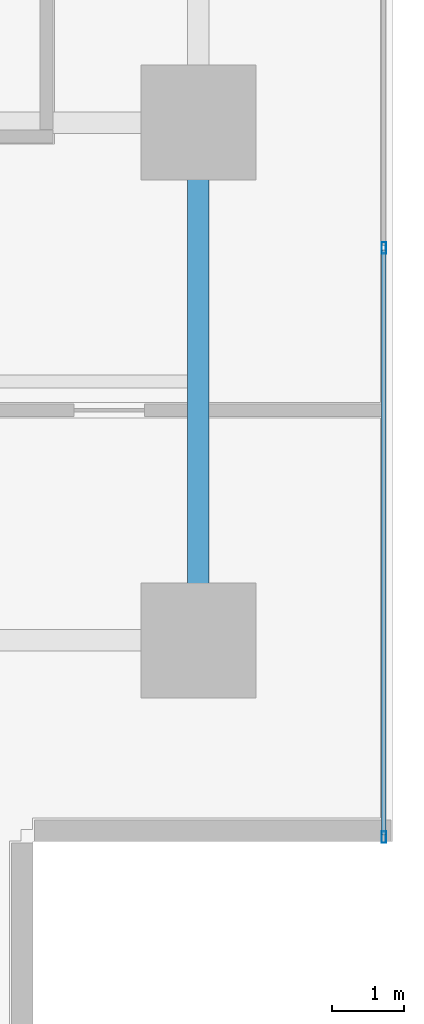
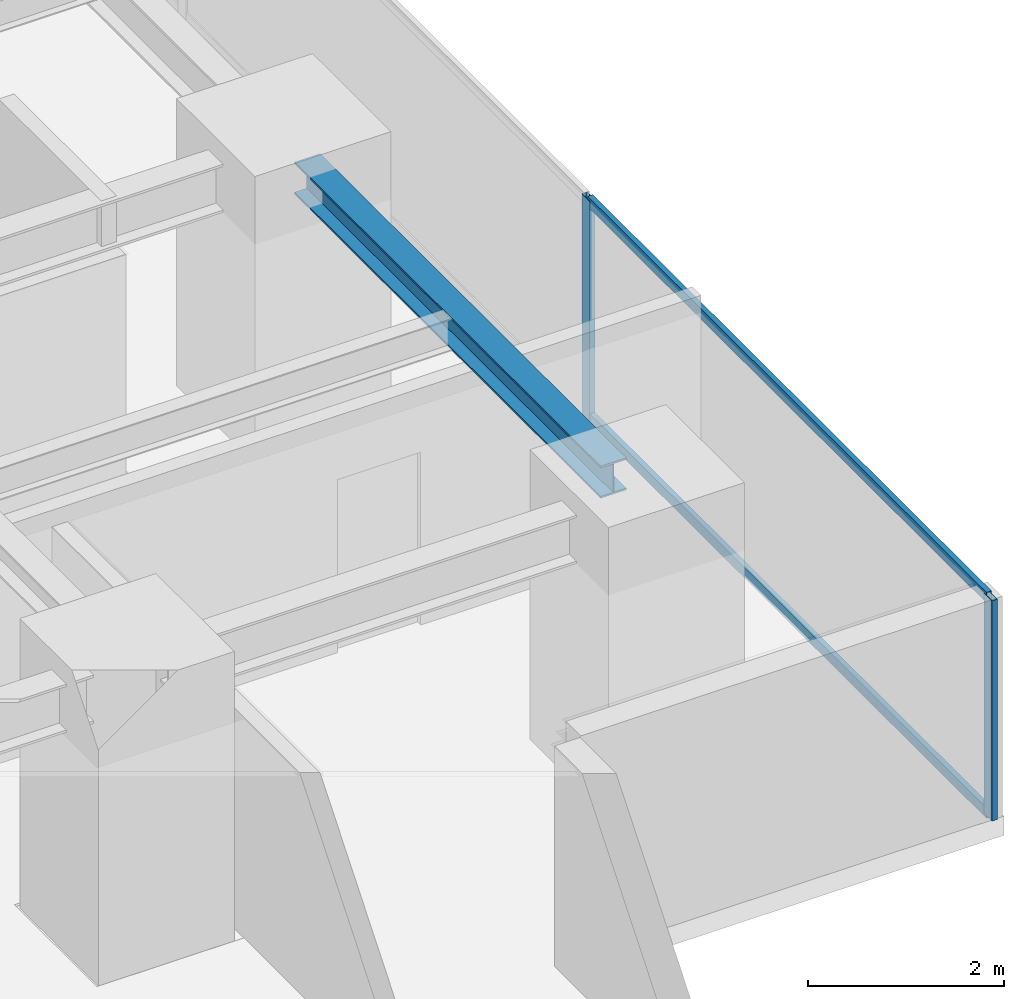
# One storey, part 14 of 37: 4 members, 1 beam, 1 element without a shape of its own.
"""IFC4 building model written with IfcOpenShell, lengths in metres."""

from ifc_helpers import new_model, si_unit, direction, frame, origin, origin_2d, place, context, subcontext, project, spatial, hollow_rectangle, i_section, extrude, source, transform, mapped, material, layer, layer_set, material_profile, profile_set, type_object, element, aggregate, save


model = new_model("IFC4")

# Units and contexts
model_context = context("Model", 3, precision=1e-05, world=origin(), true_north=direction((0.0, 1.0)))
body_context = subcontext(model_context, "Body", "Model", "MODEL_VIEW")
ifc_project = project(units=[si_unit("LENGTHUNIT", "METRE"), si_unit("AREAUNIT", "SQUARE_METRE"), si_unit("VOLUMEUNIT", "CUBIC_METRE"), si_unit("PLANEANGLEUNIT", "RADIAN"), si_unit("MASSUNIT", "GRAM", prefix="KILO")], contexts=[model_context])

# Site, building, storey
site_placement = place(None, origin())
site = spatial("IfcSite", under=ifc_project, at=site_placement, CompositionType="ELEMENT")
building_placement = place(site_placement, origin())
building = spatial("IfcBuilding", under=site, at=building_placement, Name="Sumidabori Civic Tower", CompositionType="ELEMENT")
storey_placement = place(building_placement, frame((0.0, 0.0, 117.199951171875)))
storey = spatial("IfcBuildingStorey", under=building, at=storey_placement, Name="L30", CompositionType="ELEMENT", Elevation=117.199951171875)

# Beam
ifc_material_1 = material(Name="Steel SN490", Category="steel")
ifc_material_profile_1 = material_profile(ifc_material_1, i_section(OverallWidth=0.300048828125, OverallDepth=0.39990234375, WebThickness=0.013427734375, FlangeThickness=0.02392578125, at=origin_2d()), Name="HE 400 B")
ifc_profile_set_1 = profile_set([ifc_material_profile_1], Name="Steel SN490")
beam_type = type_object("IfcBeamType", Name="BM-GIRD-400", PredefinedType="BEAM", material=ifc_profile_set_1)
shared_shape_1 = source(origin(), body_context, "Body", "SweptSolid", [
    extrude(i_section(OverallWidth=0.300048828125, OverallDepth=0.39990234375, WebThickness=0.013427734375, FlangeThickness=0.02392578125, at=origin_2d()), origin(), (0.0, 0.0, 1.0), 6.239990234375),
])
beam_placement = place(storey_placement, frame((22.800048828125, -17.52001953125, 3.16015625), z_axis=(0.0, 1.0, 0.0), x_axis=(-1.0, 0.0, 0.0)))
element("IfcBeam", 1, at=beam_placement, inside=storey, type_object=beam_type, Name="Primary Girder L30 GY-39", PredefinedType="BEAM", context=body_context, shape_type="MappedRepresentation", body=[
    mapped(shared_shape_1, transform((0.0, 0.0, 0.0), x_axis=(1.0, 0.0, 0.0), y_axis=(0.0, 1.0, 0.0), z_axis=(0.0, 0.0, 1.0), scale=1.0)),
])

# Curtain wall, members
ifc_material_2 = material(Name="Anodised Bronze Aluminium AW-6063-T6", Category="aluminium")
ifc_layer = layer(ifc_material_2, 0.179931640625, Name="Anodised Bronze Aluminium AW-6063-T6")
ifc_layer_set = layer_set([ifc_layer], Name="Anodised Bronze Aluminium AW-6063-T6")
curtain_wall_type = type_object("IfcCurtainWallType", Name="CW-SYS-3", PredefinedType="NOTDEFINED", material=ifc_layer_set)
curtain_wall_placement = place(storey_placement, origin())
curtain_wall = element("IfcCurtainWall", 2, at=curtain_wall_placement, inside=storey, type_object=curtain_wall_type, Name="Curtain Wall CW:L30:R04", PredefinedType="NOTDEFINED")
ifc_material_profile_2 = material_profile(ifc_material_2, hollow_rectangle(XDim=0.06494140625, YDim=0.159912109375, WallThickness=0.0048828125, at=origin_2d()), Name="ALU MULLION 160x65")
ifc_profile_set_2 = profile_set([ifc_material_profile_2], Name="Anodised Bronze Aluminium AW-6063-T6")
member_type_1 = type_object("IfcMemberType", Name="CW-MUL-160", PredefinedType="MULLION", material=ifc_profile_set_2)
shared_shape_2 = source(origin(), body_context, "Body", "SweptSolid", [
    extrude(hollow_rectangle(XDim=0.06494140625, YDim=0.159912109375, WallThickness=0.0048828125, at=origin_2d()), origin(), (0.0, 0.0, 1.0), 2.739990234375),
])
member_1_placement = place(storey_placement, frame((25.3798828125, -20.737548828125, 0.0), z_axis=(0.0, 0.0, 1.0), x_axis=(-1.0, 0.0, 0.0)))
member_1 = element("IfcMember", 3, at=member_1_placement, type_object=member_type_1, Name="CW-3 mullion 1", PredefinedType="MULLION", context=body_context, shape_type="MappedRepresentation", body=[
    mapped(shared_shape_2, transform((0.0, 0.0, 0.0), x_axis=(1.0, 0.0, 0.0), y_axis=(0.0, 1.0, 0.0), z_axis=(0.0, 0.0, 1.0), scale=1.0)),
])
member_2_placement = place(storey_placement, frame((25.3798828125, -12.5419921875, 0.0), z_axis=(0.0, 0.0, 1.0), x_axis=(-1.0, 0.0, 0.0)))
member_2 = element("IfcMember", 4, at=member_2_placement, type_object=member_type_1, Name="CW-3 mullion 2", PredefinedType="MULLION", context=body_context, shape_type="MappedRepresentation", body=[
    mapped(shared_shape_2, transform((0.0, 0.0, 0.0), x_axis=(1.0, 0.0, 0.0), y_axis=(0.0, 1.0, 0.0), z_axis=(0.0, 0.0, 1.0), scale=1.0)),
])
ifc_material_profile_3 = material_profile(ifc_material_2, hollow_rectangle(XDim=0.06005859375, YDim=0.1298828125, WallThickness=0.0048828125, at=origin_2d()), Name="ALU TRANSOM 130x60")
ifc_profile_set_3 = profile_set([ifc_material_profile_3], Name="Anodised Bronze Aluminium AW-6063-T6")
member_type_2 = type_object("IfcMemberType", Name="CW-TRN-130", PredefinedType="USERDEFINED", material=ifc_profile_set_3)
shared_shape_3 = source(origin(), body_context, "Body", "SweptSolid", [
    extrude(hollow_rectangle(XDim=0.06005859375, YDim=0.1298828125, WallThickness=0.0048828125, at=origin_2d()), origin(), (0.0, 0.0, 1.0), 8.130615234375),
])
member_3_placement = place(storey_placement, frame((25.3798828125, -20.705078125, 0.030029296875), z_axis=(0.0, 1.0, 0.0), x_axis=(-1.0, 0.0, 0.0)))
member_3 = element("IfcMember", 5, at=member_3_placement, type_object=member_type_2, Name="CW-3 transom 1.1", ObjectType="TRANSOM", PredefinedType="USERDEFINED", context=body_context, shape_type="MappedRepresentation", body=[
    mapped(shared_shape_3, transform((0.0, 0.0, 0.0), x_axis=(1.0, 0.0, 0.0), y_axis=(0.0, 1.0, 0.0), z_axis=(0.0, 0.0, 1.0), scale=1.0)),
])
member_4_placement = place(storey_placement, frame((25.3798828125, -20.705078125, 2.7099609375), z_axis=(0.0, 1.0, 0.0), x_axis=(-1.0, 0.0, 0.0)))
member_4 = element("IfcMember", 6, at=member_4_placement, type_object=member_type_2, Name="CW-3 transom 1.2", ObjectType="TRANSOM", PredefinedType="USERDEFINED", context=body_context, shape_type="MappedRepresentation", body=[
    mapped(shared_shape_3, transform((0.0, 0.0, 0.0), x_axis=(1.0, 0.0, 0.0), y_axis=(0.0, 1.0, 0.0), z_axis=(0.0, 0.0, 1.0), scale=1.0)),
])
aggregate(curtain_wall, [member_1, member_2, member_3, member_4])

save(model, "model.ifc")
